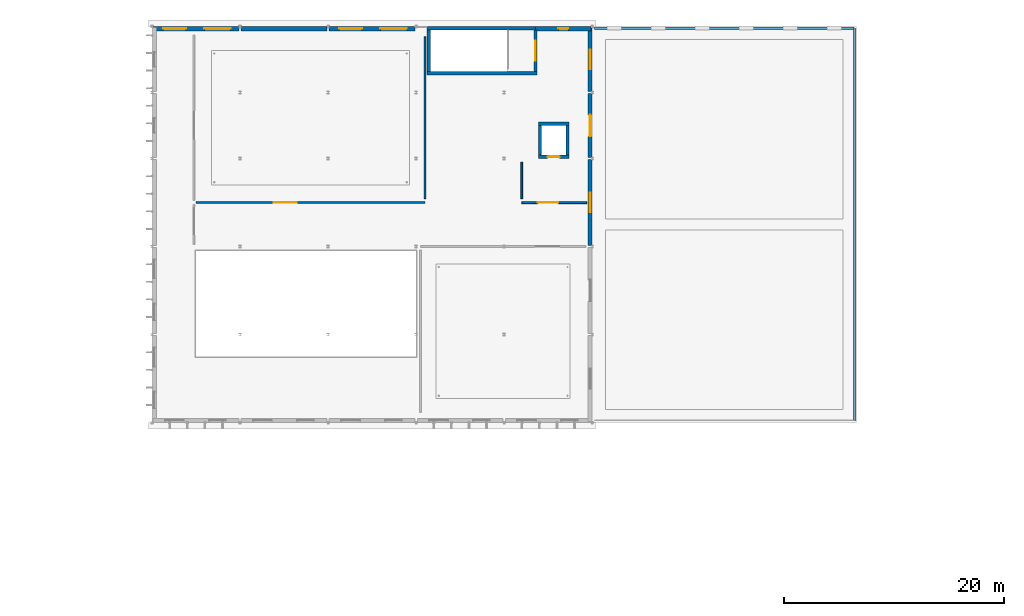
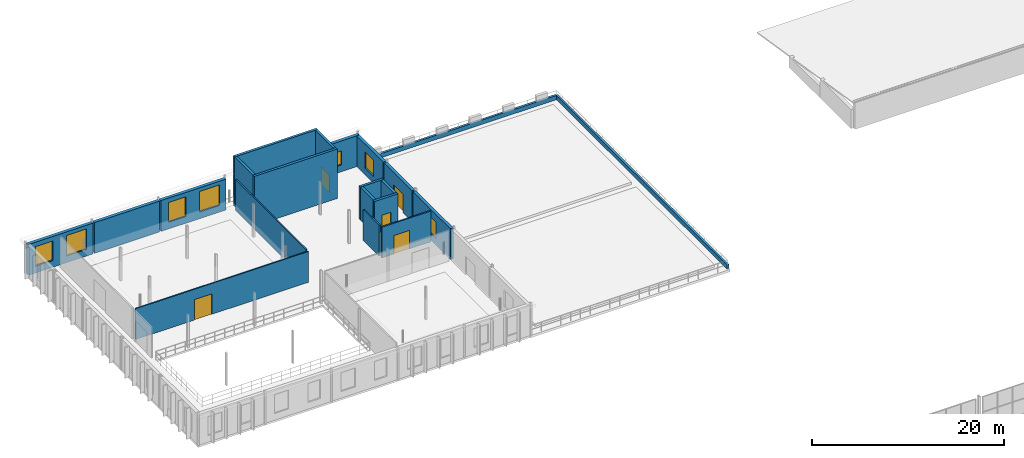
# One storey, part 41 of 67: 21 walls, 7 windows, 5 doors, 12 openings.
"""IFC4 building model written with IfcOpenShell, lengths in metres."""

import ifcopenshell
import ifcopenshell.guid

model = None  # the IFC model being written
_history = None  # IfcOwnerHistory: only IFC2X3 demands one
_inside = {}  # id of a spatial element -> (the spatial element, [elements in it])
_under = {}  # id of a project, library or spatial element -> (it, [spatial elements below it])
_declared = {}  # id of a project -> (the project, [libraries it declares])
_typed = {}  # id of a type object -> (the type object, [elements of that type])
_made_of = {}  # id of a material, layer set ... -> (it, [elements and type objects made of it])


def new_model(schema):
    """Start an empty IFC model of exactly this schema.

    Asked for "IFC4X3", IfcOpenShell would pick the latest addendum, in which some entities
    have other attributes; the version numbers below select the first issue.
    IFC2X3 requires an IfcOwnerHistory on every rooted entity: one is made here for all.
    """
    global model, _history
    if schema == "IFC4X3":
        model = ifcopenshell.file(schema_version=(4, 3, 0, 0))
    else:
        model = ifcopenshell.file(schema=schema)
    _inside.clear()
    _under.clear()
    _declared.clear()
    _typed.clear()
    _made_of.clear()
    _history = None
    if model.schema == "IFC2X3":
        org = make("IfcOrganization", Name="unknown")
        user = make(
            "IfcPersonAndOrganization",
            ThePerson=make("IfcPerson", FamilyName="unknown"),
            TheOrganization=org,
        )
        app = make(
            "IfcApplication",
            ApplicationDeveloper=org,
            Version="unknown",
            ApplicationFullName="unknown",
            ApplicationIdentifier="unknown",
        )
        _history = make(
            "IfcOwnerHistory",
            OwningUser=user,
            OwningApplication=app,
            ChangeAction="ADDED",
            CreationDate=0,
        )
    return model


def make(cls, **values):
    """One entity of the class cls with the attributes given. An attribute that is None is left unset."""
    return model.create_entity(
        cls, **{name: value for name, value in values.items() if value is not None}
    )


def rooted(cls, **values):
    """An entity with a GlobalId (a new one), such as an element, a storey or a relation."""
    return make(cls, GlobalId=ifcopenshell.guid.new(), OwnerHistory=_history, **values)


def si_unit(unit_type, name, prefix=None):
    """IfcSIUnit, for example si_unit("LENGTHUNIT", "METRE", prefix="MILLI")."""
    return make("IfcSIUnit", UnitType=unit_type, Prefix=prefix, Name=name)


def assignment(units):
    """IfcUnitAssignment: the units of a project."""
    return None if units is None else make("IfcUnitAssignment", Units=units)


def point(xyz):
    """IfcCartesianPoint."""
    return None if xyz is None else make("IfcCartesianPoint", Coordinates=xyz)


def direction(xyz):
    """IfcDirection."""
    return None if xyz is None else make("IfcDirection", DirectionRatios=xyz)


def frame(location, z_axis=None, x_axis=None):
    """IfcAxis2Placement3D, a coordinate frame: its origin and axes. An axis left out is left unset."""
    return make(
        "IfcAxis2Placement3D",
        Location=point(location),
        Axis=direction(z_axis),
        RefDirection=direction(x_axis),
    )


def frame_2d(location, x_axis=None):
    """IfcAxis2Placement2D, a coordinate frame in the plane: its origin and x axis."""
    return make(
        "IfcAxis2Placement2D", Location=point(location), RefDirection=direction(x_axis)
    )


def origin():
    """The frame at (0, 0, 0) with its axes left unset."""
    return frame((0.0, 0.0, 0.0))


def place(relative_to, where):
    """IfcLocalPlacement: puts the frame where relative to a parent placement (None: the world)."""
    return make(
        "IfcLocalPlacement", PlacementRelTo=relative_to, RelativePlacement=where
    )


def context(
    kind, dimensions, precision=None, world=None, true_north=None, identifier=None
):
    """IfcGeometricRepresentationContext, for example the 3D "Model" context."""
    return make(
        "IfcGeometricRepresentationContext",
        ContextIdentifier=identifier,
        ContextType=kind,
        CoordinateSpaceDimension=dimensions,
        Precision=precision,
        WorldCoordinateSystem=world,
        TrueNorth=true_north,
    )


def subcontext(parent, identifier, kind, view, scale=None):
    """IfcGeometricRepresentationSubContext, for example "Body" below "Model"."""
    return make(
        "IfcGeometricRepresentationSubContext",
        ContextIdentifier=identifier,
        ContextType=kind,
        ParentContext=parent,
        TargetScale=scale,
        TargetView=view,
    )


def project(units=None, contexts=None):
    """IfcProject with its units and contexts."""
    return rooted(
        "IfcProject",
        Name="project",
        RepresentationContexts=contexts,
        UnitsInContext=assignment(units),
    )


def spatial(cls, under=None, at=None, **own):
    """A site, building, storey or space (cls), placed at a placement, below another one or the project."""
    s = rooted(cls, ObjectPlacement=at, **own)
    if under is not None:
        _under.setdefault(under.id(), (under, []))[1].append(s)
    return s


def profile(cls, at=None, kind="AREA", **sizes):
    """A parametric profile (cls). Its sizes go by their IFC names, for example OverallWidth=200.0."""
    return make(cls, ProfileType=kind, Position=at, **sizes)


def rectangle(**sizes):
    """IfcRectangleProfileDef."""
    return profile("IfcRectangleProfileDef", **sizes)


def extrude(swept, where, along, depth):
    """IfcExtrudedAreaSolid: the profile swept, set in the frame where, extruded along a direction by depth."""
    return make(
        "IfcExtrudedAreaSolid",
        SweptArea=swept,
        Position=where,
        ExtrudedDirection=direction(along),
        Depth=depth,
    )


def shape(context_of_items, identifier, shape_type, items):
    """IfcShapeRepresentation: the items that make up one representation, for example the "Body"."""
    return make(
        "IfcShapeRepresentation",
        ContextOfItems=context_of_items,
        RepresentationIdentifier=identifier,
        RepresentationType=shape_type,
        Items=items,
    )


def material(Name=None, Category=None):
    """IfcMaterial."""
    return make("IfcMaterial", Name=Name, Category=Category)


def layer(
    of_material, thickness, ventilated=None, Name=None, Category=None, Priority=None
):
    """IfcMaterialLayer: one layer of a wall or slab, of a material (None: an air gap)."""
    return make(
        "IfcMaterialLayer",
        Material=of_material,
        LayerThickness=thickness,
        IsVentilated=ventilated,
        Name=Name,
        Category=Category,
        Priority=Priority,
    )


def layer_set(layers, Name=None):
    """IfcMaterialLayerSet."""
    return make("IfcMaterialLayerSet", MaterialLayers=layers, LayerSetName=Name)


def made_of(thing, what):
    """Note that an element or type object is made of a material, layer set ...; save() writes the relation."""
    if what is not None:
        _made_of.setdefault(what.id(), (what, []))[1].append(thing)
    return thing


def type_object(cls, material=None, **own):
    """A type object (cls), such as IfcWallType, which elements share."""
    return made_of(rooted(cls, **own), material)


def element(
    cls,
    number,
    at=None,
    inside=None,
    cuts=None,
    type_object=None,
    material=None,
    context=None,
    identifier="Body",
    shape_type=None,
    held_by="IfcProductDefinitionShape",
    body=None,
    shapes=None,
    **own,
):
    """One element of the class cls, such as IfcWall. Its Tag is "e" and its number.

    at: its placement. inside: the storey or other place that contains it. cuts: it is an
    opening in that element (IfcRelVoidsElement). A single representation is given by context,
    identifier, shape_type and body (its items); several are given by shapes. held_by: the class
    of the entity that holds the representations. save() writes the other relations.
    """
    e = rooted(cls, Tag="e%d" % number, ObjectPlacement=at, **own)
    if body is not None:
        shapes = [shape(context, identifier, shape_type, body)]
    if shapes is not None:
        e.Representation = make(held_by, Representations=shapes)
    if inside is not None:
        _inside.setdefault(inside.id(), (inside, []))[1].append(e)
    if cuts is not None:
        rooted(
            "IfcRelVoidsElement", RelatingBuildingElement=cuts, RelatedOpeningElement=e
        )
    if type_object is not None:
        _typed.setdefault(type_object.id(), (type_object, []))[1].append(e)
    return made_of(e, material)


def fill(opening, filler):
    """IfcRelFillsElement: the door or window that sits in an opening."""
    return rooted(
        "IfcRelFillsElement",
        RelatingOpeningElement=opening,
        RelatedBuildingElement=filler,
    )


def aggregate(whole, parts):
    """IfcRelAggregates: a whole, such as a stair, and the parts it consists of."""
    return rooted("IfcRelAggregates", RelatingObject=whole, RelatedObjects=parts)


def save(model, path):
    """Write the relations noted so far, then the file.

    IfcRelAggregates (storeys below a building ...), IfcRelContainedInSpatialStructure (elements
    in a storey), IfcRelDefinesByType, IfcRelAssociatesMaterial and IfcRelDeclares: one each for
    every whole, place, type object, material and project.
    """
    for whole, parts in _under.values():
        aggregate(whole, parts)
    for where, things in _inside.values():
        rooted(
            "IfcRelContainedInSpatialStructure",
            RelatedElements=things,
            RelatingStructure=where,
        )
    for kind, things in _typed.values():
        rooted("IfcRelDefinesByType", RelatedObjects=things, RelatingType=kind)
    for what, things in _made_of.values():
        rooted("IfcRelAssociatesMaterial", RelatedObjects=things, RelatingMaterial=what)
    for by, libraries in _declared.values():
        rooted("IfcRelDeclares", RelatingContext=by, RelatedDefinitions=libraries)
    model.write(path)


model = new_model("IFC4")

# Units and contexts
model_context = context("Model", 3, precision=1e-05, world=origin(), true_north=direction((0.0, 1.0)))
body_context = subcontext(model_context, "Body", "Model", "MODEL_VIEW")
ifc_project = project(units=[si_unit("LENGTHUNIT", "METRE"), si_unit("AREAUNIT", "SQUARE_METRE"), si_unit("VOLUMEUNIT", "CUBIC_METRE"), si_unit("PLANEANGLEUNIT", "RADIAN"), si_unit("MASSUNIT", "GRAM", prefix="KILO")], contexts=[model_context])

# Site, building, storey
site_placement = place(None, origin())
site = spatial("IfcSite", under=ifc_project, at=site_placement, CompositionType="ELEMENT")
building_placement = place(site_placement, origin())
building = spatial("IfcBuilding", under=site, at=building_placement, Name="Sundkrona Museum", CompositionType="ELEMENT")
storey_placement = place(building_placement, frame((0.0, 0.0, 21.800048828125)))
storey = spatial("IfcBuildingStorey", under=building, at=storey_placement, Name="L04", CompositionType="ELEMENT", Elevation=21.800048828125)

# Walls
ifc_material_1 = material(Name="Concrete C40/50", Category="concrete")
ifc_layer_1 = layer(ifc_material_1, 0.300048828125)
ifc_layer_set_1 = layer_set([ifc_layer_1], Name="Concrete C40/50")
wall_type_1 = type_object("IfcWallType", Name="W-CORE-300", PredefinedType="SHEAR", material=ifc_layer_set_1)
for number, where, z_axis, x_axis, name in (
    (1, (41.0, 109.75, 0.0), (0.0, 0.0, 1.0), (1.0, 0.0, 0.0), "L04 ST-3 Core Shear Wall South"),
    (2, (41.0, 113.85009765625, 0.0), (0.0, 0.0, 1.0), (1.0, 0.0, 0.0), "L04 ST-3 Core Shear Wall North"),
):
    element("IfcWall", number, at=place(storey_placement, frame(where, z_axis=z_axis, x_axis=x_axis)), inside=storey, type_object=wall_type_1, Name=name, PredefinedType="SHEAR", context=body_context, shape_type="SweptSolid", body=[
        extrude(rectangle(XDim=10.0, YDim=0.300048828125, at=frame_2d((5.0, 0.0))), origin(), (0.0, 0.0, 1.0), 6.300048828125),
    ])
wall_1_placement = place(storey_placement, frame((41.14990234375, 109.909912109375, 0.0), z_axis=(0.0, 0.0, 1.0), x_axis=(0.0, 1.0, 0.0)))
element("IfcWall", 3, at=wall_1_placement, inside=storey, type_object=wall_type_1, Name="L04 ST-3 Core Shear Wall West", PredefinedType="SHEAR", context=body_context, shape_type="SweptSolid", body=[
    extrude(rectangle(XDim=3.780029296875, YDim=0.300048828125, at=frame_2d((1.89013671875, 0.0))), origin(), (0.0, 0.0, 1.0), 6.300048828125),
])

# Wall, opening, door
wall_2_placement = place(storey_placement, frame((50.85009765625, 109.909912109375, 0.0), z_axis=(0.0, 0.0, 1.0), x_axis=(0.0, 1.0, 0.0)))
wall_2 = element("IfcWall", 4, at=wall_2_placement, inside=storey, type_object=wall_type_1, Name="L04 ST-3 Core Shear Wall East", PredefinedType="SHEAR", context=body_context, shape_type="SweptSolid", body=[
    extrude(rectangle(XDim=3.780029296875, YDim=0.300048828125, at=frame_2d((1.89013671875, 0.0))), origin(), (0.0, 0.0, 1.0), 6.300048828125),
])
opening_1_placement = place(wall_2_placement, frame((0.989990234375, 0.0, 0.0)))
opening_1 = element("IfcOpeningElement", 5, at=opening_1_placement, cuts=wall_2, Name="Opening D-FD60", PredefinedType="OPENING", context=body_context, shape_type="SweptSolid", body=[
    extrude(rectangle(XDim=1.800048828125, YDim=2.199951171875, at=frame_2d((0.89990234375, 1.10009765625))), frame((0.0, 0.159912109375, 0.0), z_axis=(0.0, -1.0, 0.0), x_axis=(1.0, 0.0, 0.0)), (0.0, 0.0, 1.0), 0.320068359375),
])
ifc_material_2 = material(Name="Steel S355J2 Fire Door Leaf", Category="steel")
door_type_1 = type_object("IfcDoorType", Name="D-FD60", OperationType="DOUBLE_DOOR_SINGLE_SWING", PredefinedType="DOOR", material=ifc_material_2)
door_1_placement = place(opening_1_placement, origin())
door_1 = element("IfcDoor", 6, at=door_1_placement, inside=storey, type_object=door_type_1, Name="L04 ST-3 Protected Escape Stair Door DR-ST-3-L04", OperationType="DOUBLE_DOOR_SINGLE_SWING", OverallHeight=2.199951171875, OverallWidth=1.800048828125, PredefinedType="DOOR", context=body_context, shape_type="SweptSolid", body=[
    extrude(rectangle(XDim=1.800048828125, YDim=2.199951171875, at=frame_2d((0.89990234375, 1.10009765625))), frame((0.0, 0.02490234375, 0.0), z_axis=(0.0, -1.0, 0.0), x_axis=(1.0, 0.0, 0.0)), (0.0, 0.0, 1.0), 0.050048828125),
])
fill(opening_1, door_1)

wall_3_placement = place(storey_placement, frame((51.10009765625, 102.14990234375, 0.0), z_axis=(0.0, 0.0, 1.0), x_axis=(1.0, 0.0, 0.0)))
wall_3 = element("IfcWall", 7, at=wall_3_placement, inside=storey, type_object=wall_type_1, Name="L04 PL-3 Lift Shaft Wall South", PredefinedType="SHEAR", context=body_context, shape_type="SweptSolid", body=[
    extrude(rectangle(XDim=2.7998046875, YDim=0.300048828125, at=frame_2d((1.39990234375, 0.0))), origin(), (0.0, 0.0, 1.0), 4.199951171875),
])
opening_2_placement = place(wall_3_placement, frame((0.85009765625, 0.0, 0.0)))
opening_2 = element("IfcOpeningElement", 8, at=opening_2_placement, cuts=wall_3, Name="Opening LD-01", PredefinedType="OPENING", context=body_context, shape_type="SweptSolid", body=[
    extrude(rectangle(XDim=1.10009765625, YDim=2.14990234375, at=frame_2d((0.550048828125, 1.074951171875))), frame((0.0, 0.159912109375, 0.0), z_axis=(0.0, -1.0, 0.0), x_axis=(1.0, 0.0, 0.0)), (0.0, 0.0, 1.0), 0.320068359375),
])
ifc_material_3 = material(Name="Brushed Stainless Steel Lift Door", Category="steel")
door_type_2 = type_object("IfcDoorType", Name="LD-01", OperationType="SLIDING_TO_LEFT", PredefinedType="DOOR", material=ifc_material_3)
door_2_placement = place(opening_2_placement, origin())
door_2 = element("IfcDoor", 9, at=door_2_placement, inside=storey, type_object=door_type_2, Name="L04 North-West Gallery Passenger Lift PL-3 Landing Door DR-LIFT-PL-3-L04", OperationType="SLIDING_TO_LEFT", OverallHeight=2.14990234375, OverallWidth=1.10009765625, PredefinedType="DOOR", context=body_context, shape_type="SweptSolid", body=[
    extrude(rectangle(XDim=1.10009765625, YDim=2.14990234375, at=frame_2d((0.550048828125, 1.074951171875))), frame((0.0, 0.02490234375, 0.0), z_axis=(0.0, -1.0, 0.0), x_axis=(1.0, 0.0, 0.0)), (0.0, 0.0, 1.0), 0.050048828125),
])
fill(opening_2, door_2)

# Walls
wall_4_placement = place(storey_placement, frame((51.10009765625, 105.14990234375, 0.0), z_axis=(0.0, 0.0, 1.0), x_axis=(1.0, 0.0, 0.0)))
element("IfcWall", 10, at=wall_4_placement, inside=storey, type_object=wall_type_1, Name="L04 PL-3 Lift Shaft Wall North", PredefinedType="SHEAR", context=body_context, shape_type="SweptSolid", body=[
    extrude(rectangle(XDim=2.7998046875, YDim=0.300048828125, at=frame_2d((1.39990234375, 0.0))), origin(), (0.0, 0.0, 1.0), 4.199951171875),
])
for number, where, z_axis, x_axis, name in (
    (11, (51.25, 102.31005859375, 0.0), (0.0, 0.0, 1.0), (0.0, 1.0, 0.0), "L04 PL-3 Lift Shaft Wall West"),
    (12, (53.75, 102.31005859375, 0.0), (0.0, 0.0, 1.0), (0.0, 1.0, 0.0), "L04 PL-3 Lift Shaft Wall East"),
):
    element("IfcWall", number, at=place(storey_placement, frame(where, z_axis=z_axis, x_axis=x_axis)), inside=storey, type_object=wall_type_1, Name=name, PredefinedType="SHEAR", context=body_context, shape_type="SweptSolid", body=[
        extrude(rectangle(XDim=2.679931640625, YDim=0.300048828125, at=frame_2d((1.33984375, 0.0))), origin(), (0.0, 0.0, 1.0), 4.199951171875),
    ])

# Wall, openings, windows
ifc_material_4 = material(Name="Scanian Polychrome Clay Brickwork 390 mm", Category="masonry")
ifc_layer_2 = layer(ifc_material_4, 0.389892578125)
ifc_layer_set_2 = layer_set([ifc_layer_2], Name="Scanian Polychrome Clay Brickwork 390 mm")
wall_type_2 = type_object("IfcWallType", Name="W-EX-390", PredefinedType="SOLIDWALL", material=ifc_layer_set_2)
wall_5_placement = place(storey_placement, frame((16.10205078125, 113.804931640625, 0.0), z_axis=(0.0, 0.0, 1.0), x_axis=(1.0, 0.0, 0.0)))
wall_5 = element("IfcWall", 13, at=wall_5_placement, inside=storey, type_object=wall_type_2, Name="L04 Facade Wall 0184", PredefinedType="SOLIDWALL", context=body_context, shape_type="SweptSolid", body=[
    extrude(rectangle(XDim=7.7958984375, YDim=0.389892578125, at=frame_2d((3.89794921875, 0.0))), origin(), (0.0, 0.0, 1.0), 3.919921875),
])
opening_3_placement = place(wall_5_placement, frame((0.89892578125, 0.0, 0.85009765625)))
opening_3 = element("IfcOpeningElement", 14, at=opening_3_placement, cuts=wall_5, Name="Opening WN-GL-210x250", PredefinedType="OPENING", context=body_context, shape_type="SweptSolid", body=[
    extrude(rectangle(XDim=2.10009765625, YDim=2.5, at=frame_2d((1.050048828125, 1.25))), frame((0.0, 0.204833984375, 0.0), z_axis=(0.0, -1.0, 0.0), x_axis=(1.0, 0.0, 0.0)), (0.0, 0.0, 1.0), 0.409912109375),
])
opening_4_placement = place(wall_5_placement, frame((4.64697265625, 0.0, 0.85009765625)))
opening_4 = element("IfcOpeningElement", 15, at=opening_4_placement, cuts=wall_5, Name="Opening WN-GL-240x260", PredefinedType="OPENING", context=body_context, shape_type="SweptSolid", body=[
    extrude(rectangle(XDim=2.39990234375, YDim=2.60009765625, at=frame_2d((1.199951171875, 1.300048828125))), frame((0.0, 0.204833984375, 0.0), z_axis=(0.0, -1.0, 0.0), x_axis=(1.0, 0.0, 0.0)), (0.0, 0.0, 1.0), 0.409912109375),
])
ifc_material_5 = material(Name="Triple Low-E Argon Glazing in Bronze-Anodised Aluminium", Category="aluminium")
window_type_1 = type_object("IfcWindowType", Name="WN-GL-210x250", PartitioningType="DOUBLE_PANEL_VERTICAL", PredefinedType="WINDOW", material=ifc_material_5)
window_1_placement = place(opening_3_placement, origin())
window_1 = element("IfcWindow", 16, at=window_1_placement, inside=storey, type_object=window_type_1, Name="L04 Botanical court outlook window 2100x2500 WIN-L04-0259", OverallHeight=2.5, OverallWidth=2.10009765625, PartitioningType="DOUBLE_PANEL_VERTICAL", PredefinedType="WINDOW", context=body_context, shape_type="SweptSolid", body=[
    extrude(rectangle(XDim=2.10009765625, YDim=2.5, at=frame_2d((1.050048828125, 1.25))), frame((0.0, 0.030029296875, 0.0), z_axis=(0.0, -1.0, 0.0), x_axis=(1.0, 0.0, 0.0)), (0.0, 0.0, 1.0), 0.06005859375),
])
fill(opening_3, window_1)
window_type_2 = type_object("IfcWindowType", Name="WN-GL-240x260", PartitioningType="TRIPLE_PANEL_VERTICAL", PredefinedType="WINDOW", material=ifc_material_5)
window_2_placement = place(opening_4_placement, origin())
window_2 = element("IfcWindow", 17, at=window_2_placement, inside=storey, type_object=window_type_2, Name="L04 Cloister garden picture window 2400x2600 WIN-L04-0260", OverallHeight=2.60009765625, OverallWidth=2.39990234375, PartitioningType="TRIPLE_PANEL_VERTICAL", PredefinedType="WINDOW", context=body_context, shape_type="SweptSolid", body=[
    extrude(rectangle(XDim=2.39990234375, YDim=2.60009765625, at=frame_2d((1.199951171875, 1.300048828125))), frame((0.0, 0.030029296875, 0.0), z_axis=(0.0, -1.0, 0.0), x_axis=(1.0, 0.0, 0.0)), (0.0, 0.0, 1.0), 0.06005859375),
])
fill(opening_4, window_2)

# Wall
wall_6_placement = place(storey_placement, frame((24.10205078125, 113.804931640625, 0.0), z_axis=(0.0, 0.0, 1.0), x_axis=(1.0, 0.0, 0.0)))
element("IfcWall", 18, at=wall_6_placement, inside=storey, type_object=wall_type_2, Name="L04 Facade Wall 0185", PredefinedType="SOLIDWALL", context=body_context, shape_type="SweptSolid", body=[
    extrude(rectangle(XDim=7.7958984375, YDim=0.389892578125, at=frame_2d((3.89794921875, 0.0))), origin(), (0.0, 0.0, 1.0), 3.919921875),
])

# Wall, openings, windows
wall_7_placement = place(storey_placement, frame((32.10205078125, 113.804931640625, 0.0), z_axis=(0.0, 0.0, 1.0), x_axis=(1.0, 0.0, 0.0)))
wall_7 = element("IfcWall", 19, at=wall_7_placement, inside=storey, type_object=wall_type_2, Name="L04 Facade Wall 0186", PredefinedType="SOLIDWALL", context=body_context, shape_type="SweptSolid", body=[
    extrude(rectangle(XDim=7.7958984375, YDim=0.389892578125, at=frame_2d((3.89794921875, 0.0))), origin(), (0.0, 0.0, 1.0), 3.919921875),
])
opening_5_placement = place(wall_7_placement, frame((0.89892578125, 0.0, 0.85009765625)))
opening_5 = element("IfcOpeningElement", 20, at=opening_5_placement, cuts=wall_7, Name="Opening WN-GL-210x250", PredefinedType="OPENING", context=body_context, shape_type="SweptSolid", body=[
    extrude(rectangle(XDim=2.10009765625, YDim=2.5, at=frame_2d((1.050048828125, 1.25))), frame((0.0, 0.204833984375, 0.0), z_axis=(0.0, -1.0, 0.0), x_axis=(1.0, 0.0, 0.0)), (0.0, 0.0, 1.0), 0.409912109375),
])
opening_6_placement = place(wall_7_placement, frame((4.64697265625, 0.0, 0.85009765625)))
opening_6 = element("IfcOpeningElement", 21, at=opening_6_placement, cuts=wall_7, Name="Opening WN-GL-240x260", PredefinedType="OPENING", context=body_context, shape_type="SweptSolid", body=[
    extrude(rectangle(XDim=2.39990234375, YDim=2.60009765625, at=frame_2d((1.199951171875, 1.300048828125))), frame((0.0, 0.204833984375, 0.0), z_axis=(0.0, -1.0, 0.0), x_axis=(1.0, 0.0, 0.0)), (0.0, 0.0, 1.0), 0.409912109375),
])
window_3_placement = place(opening_5_placement, origin())
window_3 = element("IfcWindow", 22, at=window_3_placement, inside=storey, type_object=window_type_1, Name="L04 Botanical court outlook window 2100x2500 WIN-L04-0261", OverallHeight=2.5, OverallWidth=2.10009765625, PartitioningType="DOUBLE_PANEL_VERTICAL", PredefinedType="WINDOW", context=body_context, shape_type="SweptSolid", body=[
    extrude(rectangle(XDim=2.10009765625, YDim=2.5, at=frame_2d((1.050048828125, 1.25))), frame((0.0, 0.030029296875, 0.0), z_axis=(0.0, -1.0, 0.0), x_axis=(1.0, 0.0, 0.0)), (0.0, 0.0, 1.0), 0.06005859375),
])
fill(opening_5, window_3)
window_4_placement = place(opening_6_placement, origin())
window_4 = element("IfcWindow", 23, at=window_4_placement, inside=storey, type_object=window_type_2, Name="L04 Cloister garden picture window 2400x2600 WIN-L04-0262", OverallHeight=2.60009765625, OverallWidth=2.39990234375, PartitioningType="TRIPLE_PANEL_VERTICAL", PredefinedType="WINDOW", context=body_context, shape_type="SweptSolid", body=[
    extrude(rectangle(XDim=2.39990234375, YDim=2.60009765625, at=frame_2d((1.199951171875, 1.300048828125))), frame((0.0, 0.030029296875, 0.0), z_axis=(0.0, -1.0, 0.0), x_axis=(1.0, 0.0, 0.0)), (0.0, 0.0, 1.0), 0.06005859375),
])
fill(opening_6, window_4)

# Wall, opening, window
wall_8_placement = place(storey_placement, frame((50.860107421875, 113.804931640625, 0.0), z_axis=(0.0, 0.0, 1.0), x_axis=(1.0, 0.0, 0.0)))
wall_8 = element("IfcWall", 24, at=wall_8_placement, inside=storey, type_object=wall_type_2, Name="L04 Facade Wall 0187", PredefinedType="SOLIDWALL", context=body_context, shape_type="SweptSolid", body=[
    extrude(rectangle(XDim=5.037841796875, YDim=0.389892578125, at=frame_2d((2.51904296875, 0.0))), origin(), (0.0, 0.0, 1.0), 3.919921875),
])
opening_7_placement = place(wall_8_placement, frame((2.069091796875, 0.0, 0.85009765625)))
opening_7 = element("IfcOpeningElement", 25, at=opening_7_placement, cuts=wall_8, Name="Opening WN-ST-090x180", PredefinedType="OPENING", context=body_context, shape_type="SweptSolid", body=[
    extrude(rectangle(XDim=0.89990234375, YDim=1.800048828125, at=frame_2d((0.449951171875, 0.89990234375))), frame((0.0, 0.204833984375, 0.0), z_axis=(0.0, -1.0, 0.0), x_axis=(1.0, 0.0, 0.0)), (0.0, 0.0, 1.0), 0.409912109375),
])
window_type_3 = type_object("IfcWindowType", Name="WN-ST-090x180", PartitioningType="SINGLE_PANEL", PredefinedType="WINDOW", material=ifc_material_5)
window_5_placement = place(opening_7_placement, origin())
window_5 = element("IfcWindow", 26, at=window_5_placement, inside=storey, type_object=window_type_3, Name="L04 Stair-core avenue daylight slot window 900x1800 WIN-L04-0263", OverallHeight=1.800048828125, OverallWidth=0.89990234375, PartitioningType="SINGLE_PANEL", PredefinedType="WINDOW", context=body_context, shape_type="SweptSolid", body=[
    extrude(rectangle(XDim=0.89990234375, YDim=1.800048828125, at=frame_2d((0.449951171875, 0.89990234375))), frame((0.0, 0.030029296875, 0.0), z_axis=(0.0, -1.0, 0.0), x_axis=(1.0, 0.0, 0.0)), (0.0, 0.0, 1.0), 0.06005859375),
])
fill(opening_7, window_5)

# Walls
ifc_material_6 = material(Name="Copper-capped Scanian Brick Masonry 250 mm", Category="masonry")
ifc_layer_3 = layer(ifc_material_6, 0.25)
ifc_layer_set_3 = layer_set([ifc_layer_3], Name="Copper-capped Scanian Brick Masonry 250 mm")
wall_type_3 = type_object("IfcWallType", Name="W-PR-250", PredefinedType="PARAPET", material=ifc_layer_set_3)
wall_9_placement = place(storey_placement, frame((56.199951171875, 113.85009765625, 0.0), z_axis=(0.0, 0.0, 1.0), x_axis=(1.0, 0.0, 0.0)))
element("IfcWall", 27, at=wall_9_placement, inside=storey, type_object=wall_type_3, Name="L04 Roof Parapet Upstand 01", PredefinedType="PARAPET", context=body_context, shape_type="SweptSolid", body=[
    extrude(rectangle(XDim=23.60009765625, YDim=0.25, at=frame_2d((11.800048828125, 0.0))), origin(), (0.0, 0.0, 1.0), 0.550048828125),
])
wall_10_placement = place(storey_placement, frame((79.85009765625, 78.199951171875, 0.0), z_axis=(0.0, 0.0, 1.0), x_axis=(0.0, 1.0, 0.0)))
element("IfcWall", 28, at=wall_10_placement, inside=storey, type_object=wall_type_3, Name="L04 Roof Parapet Upstand 02", PredefinedType="PARAPET", context=body_context, shape_type="SweptSolid", body=[
    extrude(rectangle(XDim=35.60009765625, YDim=0.25, at=frame_2d((17.800048828125, 0.0))), origin(), (0.0, 0.0, 1.0), 0.550048828125),
])

# Wall, opening, door
ifc_material_7 = material(Name="Acoustic Gypsum Partition Board 150 mm", Category="other")
ifc_layer_4 = layer(ifc_material_7, 0.14990234375)
ifc_layer_set_4 = layer_set([ifc_layer_4], Name="Acoustic Gypsum Partition Board 150 mm")
wall_type_4 = type_object("IfcWallType", Name="W-PT-150", PredefinedType="PARTITIONING", material=ifc_layer_set_4)
wall_11_placement = place(storey_placement, frame((20.0, 98.0, 0.0), z_axis=(0.0, 0.0, 1.0), x_axis=(1.0, 0.0, 0.0)))
wall_11 = element("IfcWall", 29, at=wall_11_placement, inside=storey, type_object=wall_type_4, Name="L04 Partition Roof Terrace Foyer Corridor / Design and Architecture Cabinet", PredefinedType="PARTITIONING", context=body_context, shape_type="SweptSolid", body=[
    extrude(rectangle(XDim=20.800048828125, YDim=0.14990234375, at=frame_2d((10.39990234375, 0.0))), origin(), (0.0, 0.0, 1.0), 3.919921875),
])
opening_8_placement = place(wall_11_placement, frame((7.043212890625, 0.0, 0.0)))
opening_8 = element("IfcOpeningElement", 30, at=opening_8_placement, cuts=wall_11, Name="Opening D-GAL-210", PredefinedType="OPENING", context=body_context, shape_type="SweptSolid", body=[
    extrude(rectangle(XDim=2.10009765625, YDim=2.60009765625, at=frame_2d((1.050048828125, 1.300048828125))), frame((0.0, 0.0849609375, 0.0), z_axis=(0.0, -1.0, 0.0), x_axis=(1.0, 0.0, 0.0)), (0.0, 0.0, 1.0), 0.169921875),
])
ifc_material_8 = material(Name="European Oak Gallery Door", Category="other")
door_type_3 = type_object("IfcDoorType", Name="D-GAL-210", OperationType="DOUBLE_DOOR_SINGLE_SWING", PredefinedType="DOOR", material=ifc_material_8)
door_3_placement = place(opening_8_placement, origin())
door_3 = element("IfcDoor", 31, at=door_3_placement, inside=storey, type_object=door_type_3, Name="L04 Interior Door DR-ADJ-L04-0201", OperationType="DOUBLE_DOOR_SINGLE_SWING", OverallHeight=2.60009765625, OverallWidth=2.10009765625, PredefinedType="DOOR", context=body_context, shape_type="SweptSolid", body=[
    extrude(rectangle(XDim=2.10009765625, YDim=2.60009765625, at=frame_2d((1.050048828125, 1.300048828125))), frame((0.0, 0.02490234375, 0.0), z_axis=(0.0, -1.0, 0.0), x_axis=(1.0, 0.0, 0.0)), (0.0, 0.0, 1.0), 0.050048828125),
])
fill(opening_8, door_3)

# Wall
wall_12_placement = place(storey_placement, frame((40.800048828125, 98.35009765625, 0.0), z_axis=(0.0, 0.0, 1.0), x_axis=(0.0, 1.0, 0.0)))
element("IfcWall", 32, at=wall_12_placement, inside=storey, type_object=wall_type_4, Name="L04 Design and Architecture Cabinet Enclosure Wall E", PredefinedType="PARTITIONING", context=body_context, shape_type="SweptSolid", body=[
    extrude(rectangle(XDim=14.699951171875, YDim=0.14990234375, at=frame_2d((7.35009765625, 0.0))), origin(), (0.0, 0.0, 1.0), 3.919921875),
])

# Wall, opening, door
ifc_material_9 = material(Name="Fire-rated Gypsum Partition Board 175 mm", Category="other")
ifc_layer_5 = layer(ifc_material_9, 0.175048828125)
ifc_layer_set_5 = layer_set([ifc_layer_5], Name="Fire-rated Gypsum Partition Board 175 mm")
wall_type_5 = type_object("IfcWallType", Name="W-PT-175", PredefinedType="PARTITIONING", material=ifc_layer_set_5)
wall_13_placement = place(storey_placement, frame((49.60009765625, 98.0, 0.0), z_axis=(0.0, 0.0, 1.0), x_axis=(1.0, 0.0, 0.0)))
wall_13 = element("IfcWall", 33, at=wall_13_placement, inside=storey, type_object=wall_type_5, Name="L04 Partition North-West Lift Lobby / Roof Terrace Foyer Corridor", PredefinedType="PARTITIONING", context=body_context, shape_type="SweptSolid", body=[
    extrude(rectangle(XDim=5.89990234375, YDim=0.175048828125, at=frame_2d((2.949951171875, 0.0))), origin(), (0.0, 0.0, 1.0), 3.919921875),
])
opening_9_placement = place(wall_13_placement, frame((1.433349609375, 0.0, 0.0)))
opening_9 = element("IfcOpeningElement", 34, at=opening_9_placement, cuts=wall_13, Name="Opening D-AUD-190", PredefinedType="OPENING", context=body_context, shape_type="SweptSolid", body=[
    extrude(rectangle(XDim=1.89990234375, YDim=2.35009765625, at=frame_2d((0.949951171875, 1.175048828125))), frame((0.0, 0.097412109375, 0.0), z_axis=(0.0, -1.0, 0.0), x_axis=(1.0, 0.0, 0.0)), (0.0, 0.0, 1.0), 0.195068359375),
])
ifc_material_10 = material(Name="Acoustic Oak Fire Door", Category="other")
door_type_4 = type_object("IfcDoorType", Name="D-AUD-190", OperationType="DOUBLE_DOOR_SINGLE_SWING", PredefinedType="DOOR", material=ifc_material_10)
door_4_placement = place(opening_9_placement, origin())
door_4 = element("IfcDoor", 35, at=door_4_placement, inside=storey, type_object=door_type_4, Name="L04 Interior Door DR-ADJ-L04-0191", OperationType="DOUBLE_DOOR_SINGLE_SWING", OverallHeight=2.35009765625, OverallWidth=1.89990234375, PredefinedType="DOOR", context=body_context, shape_type="SweptSolid", body=[
    extrude(rectangle(XDim=1.89990234375, YDim=2.35009765625, at=frame_2d((0.949951171875, 1.175048828125))), frame((0.0, 0.02490234375, 0.0), z_axis=(0.0, -1.0, 0.0), x_axis=(1.0, 0.0, 0.0)), (0.0, 0.0, 1.0), 0.050048828125),
])
fill(opening_9, door_4)

# Wall
wall_14_placement = place(storey_placement, frame((49.60009765625, 98.35009765625, 0.0), z_axis=(0.0, 0.0, 1.0), x_axis=(0.0, 1.0, 0.0)))
element("IfcWall", 36, at=wall_14_placement, inside=storey, type_object=wall_type_5, Name="L04 North-West Lift Lobby Enclosure Wall W", PredefinedType="PARTITIONING", context=body_context, shape_type="SweptSolid", body=[
    extrude(rectangle(XDim=3.2998046875, YDim=0.175048828125, at=frame_2d((1.64990234375, 0.0))), origin(), (0.0, 0.0, 1.0), 3.919921875),
])

# Wall, opening, window
ifc_material_11 = material(Name="Vitrified Stoneware Mosaic Cladding 360 mm", Category="masonry")
ifc_layer_6 = layer(ifc_material_11, 0.360107421875)
ifc_layer_set_6 = layer_set([ifc_layer_6], Name="Vitrified Stoneware Mosaic Cladding 360 mm")
wall_type_6 = type_object("IfcWallType", Name="W-SP-360", PredefinedType="ELEMENTEDWALL", material=ifc_layer_set_6)
wall_15_placement = place(storey_placement, frame((55.820068359375, 101.89794921875, 0.0), z_axis=(0.0, 0.0, 1.0), x_axis=(0.0, -1.0, 0.0)))
wall_15 = element("IfcWall", 37, at=wall_15_placement, inside=storey, type_object=wall_type_6, Name="L04 Facade Wall 0190", PredefinedType="ELEMENTEDWALL", context=body_context, shape_type="SweptSolid", body=[
    extrude(rectangle(XDim=7.7958984375, YDim=0.360107421875, at=frame_2d((3.89794921875, 0.0))), origin(), (0.0, 0.0, 1.0), 3.919921875),
])
opening_10_placement = place(wall_15_placement, frame((2.998046875, 0.0, 0.85009765625)))
opening_10 = element("IfcOpeningElement", 38, at=opening_10_placement, cuts=wall_15, Name="Opening WN-ED-180x210", PredefinedType="OPENING", context=body_context, shape_type="SweptSolid", body=[
    extrude(rectangle(XDim=1.800048828125, YDim=2.10009765625, at=frame_2d((0.89990234375, 1.050048828125))), frame((0.0, 0.18994140625, 0.0), z_axis=(0.0, -1.0, 0.0), x_axis=(1.0, 0.0, 0.0)), (0.0, 0.0, 1.0), 0.380126953125),
])
window_type_4 = type_object("IfcWindowType", Name="WN-ED-180x210", PartitioningType="DOUBLE_PANEL_VERTICAL", PredefinedType="WINDOW", material=ifc_material_5)
window_6_placement = place(opening_10_placement, origin())
window_6 = element("IfcWindow", 39, at=window_6_placement, inside=storey, type_object=window_type_4, Name="L04 Education studio courtyard window 1800x2100 WIN-L04-0265", OverallHeight=2.10009765625, OverallWidth=1.800048828125, PartitioningType="DOUBLE_PANEL_VERTICAL", PredefinedType="WINDOW", context=body_context, shape_type="SweptSolid", body=[
    extrude(rectangle(XDim=1.800048828125, YDim=2.10009765625, at=frame_2d((0.89990234375, 1.050048828125))), frame((0.0, 0.030029296875, 0.0), z_axis=(0.0, -1.0, 0.0), x_axis=(1.0, 0.0, 0.0)), (0.0, 0.0, 1.0), 0.06005859375),
])
fill(opening_10, window_6)

# Wall, opening, door
wall_16_placement = place(storey_placement, frame((55.820068359375, 107.89794921875, 0.0), z_axis=(0.0, 0.0, 1.0), x_axis=(0.0, -1.0, 0.0)))
wall_16 = element("IfcWall", 40, at=wall_16_placement, inside=storey, type_object=wall_type_6, Name="L04 Facade Wall 0191", PredefinedType="ELEMENTEDWALL", context=body_context, shape_type="SweptSolid", body=[
    extrude(rectangle(XDim=5.7958984375, YDim=0.360107421875, at=frame_2d((2.89794921875, 0.0))), origin(), (0.0, 0.0, 1.0), 3.919921875),
])
opening_11_placement = place(wall_16_placement, frame((1.923095703125, 0.0, 0.0)))
opening_11 = element("IfcOpeningElement", 41, at=opening_11_placement, cuts=wall_16, Name="Opening D-TR-195", PredefinedType="OPENING", context=body_context, shape_type="SweptSolid", body=[
    extrude(rectangle(XDim=1.949951171875, YDim=2.35009765625, at=frame_2d((0.97509765625, 1.175048828125))), frame((0.0, 0.18994140625, 0.0), z_axis=(0.0, -1.0, 0.0), x_axis=(1.0, 0.0, 0.0)), (0.0, 0.0, 1.0), 0.380126953125),
])
ifc_material_12 = material(Name="Triple-Glazed Aluminium Terrace Door", Category="aluminium")
door_type_5 = type_object("IfcDoorType", Name="D-TR-195", OperationType="DOUBLE_DOOR_SINGLE_SWING", PredefinedType="DOOR", material=ifc_material_12)
door_5_placement = place(opening_11_placement, origin())
door_5 = element("IfcDoor", 42, at=door_5_placement, inside=storey, type_object=door_type_5, Name="L04 Exterior Door D-TR-195 DR-L04-TR3-102", OperationType="DOUBLE_DOOR_SINGLE_SWING", OverallHeight=2.35009765625, OverallWidth=1.949951171875, PredefinedType="DOOR", context=body_context, shape_type="SweptSolid", body=[
    extrude(rectangle(XDim=1.949951171875, YDim=2.35009765625, at=frame_2d((0.97509765625, 1.175048828125))), frame((0.0, 0.02490234375, 0.0), z_axis=(0.0, -1.0, 0.0), x_axis=(1.0, 0.0, 0.0)), (0.0, 0.0, 1.0), 0.050048828125),
])
fill(opening_11, door_5)

# Wall, opening, window
wall_17_placement = place(storey_placement, frame((55.820068359375, 113.89794921875, 0.0), z_axis=(0.0, 0.0, 1.0), x_axis=(0.0, -1.0, 0.0)))
wall_17 = element("IfcWall", 43, at=wall_17_placement, inside=storey, type_object=wall_type_6, Name="L04 Facade Wall 0192", PredefinedType="ELEMENTEDWALL", context=body_context, shape_type="SweptSolid", body=[
    extrude(rectangle(XDim=5.7958984375, YDim=0.360107421875, at=frame_2d((2.89794921875, 0.0))), origin(), (0.0, 0.0, 1.0), 3.919921875),
])
opening_12_placement = place(wall_17_placement, frame((1.998046875, 0.0, 0.85009765625)))
opening_12 = element("IfcOpeningElement", 44, at=opening_12_placement, cuts=wall_17, Name="Opening WN-ED-180x210", PredefinedType="OPENING", context=body_context, shape_type="SweptSolid", body=[
    extrude(rectangle(XDim=1.800048828125, YDim=2.10009765625, at=frame_2d((0.89990234375, 1.050048828125))), frame((0.0, 0.18994140625, 0.0), z_axis=(0.0, -1.0, 0.0), x_axis=(1.0, 0.0, 0.0)), (0.0, 0.0, 1.0), 0.380126953125),
])
window_7_placement = place(opening_12_placement, origin())
window_7 = element("IfcWindow", 45, at=window_7_placement, inside=storey, type_object=window_type_4, Name="L04 Education studio courtyard window 1800x2100 WIN-L04-0266", OverallHeight=2.10009765625, OverallWidth=1.800048828125, PartitioningType="DOUBLE_PANEL_VERTICAL", PredefinedType="WINDOW", context=body_context, shape_type="SweptSolid", body=[
    extrude(rectangle(XDim=1.800048828125, YDim=2.10009765625, at=frame_2d((0.89990234375, 1.050048828125))), frame((0.0, 0.030029296875, 0.0), z_axis=(0.0, -1.0, 0.0), x_axis=(1.0, 0.0, 0.0)), (0.0, 0.0, 1.0), 0.06005859375),
])
fill(opening_12, window_7)

save(model, "model.ifc")
